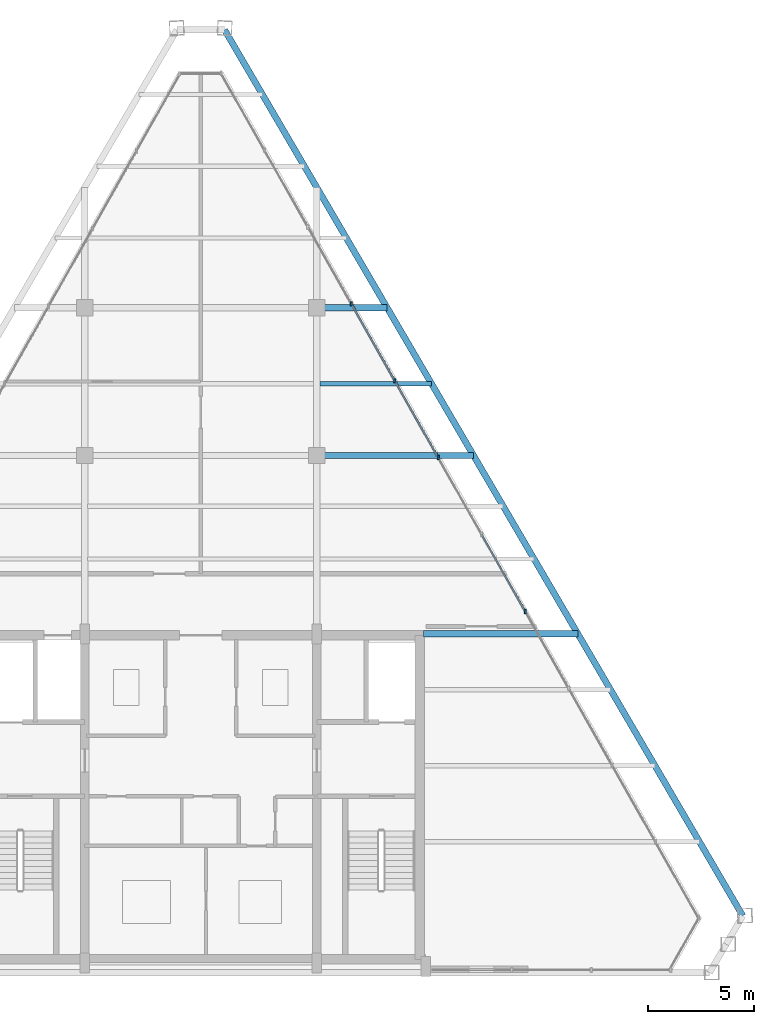
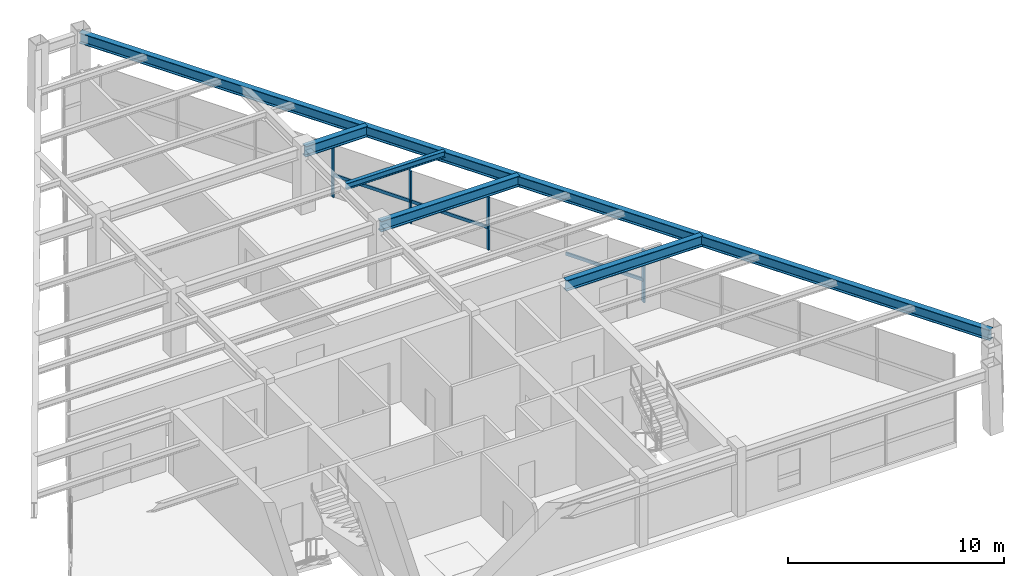
# One storey, part 7 of 12: 7 members, 5 beams, 1 element without a shape of its own.
"""IFC4 building model written with IfcOpenShell, lengths in metres."""

from ifc_helpers import new_model, si_unit, direction, frame, origin, origin_2d, place, context, subcontext, project, spatial, rectangle, i_section, extrude, source, transform, mapped, material, material_profile, profile_set, type_object, type_shapes, element, aggregate, save


model = new_model("IFC4")

# Units and contexts
model_context = context("Model", 3, precision=1e-05, world=origin(), true_north=direction((0.0, 1.0)))
body_context = subcontext(model_context, "Body", "Model", "MODEL_VIEW")
ifc_project = project(units=[si_unit("LENGTHUNIT", "METRE"), si_unit("AREAUNIT", "SQUARE_METRE"), si_unit("VOLUMEUNIT", "CUBIC_METRE"), si_unit("PLANEANGLEUNIT", "RADIAN"), si_unit("MASSUNIT", "GRAM", prefix="KILO")], contexts=[model_context])

# Site, building, storey
site_placement = place(None, origin())
site = spatial("IfcSite", under=ifc_project, at=site_placement, CompositionType="ELEMENT")
building_placement = place(site_placement, origin())
building = spatial("IfcBuilding", under=site, at=building_placement, Name="Varnakhor Terracotta Tower", CompositionType="ELEMENT")
storey_placement = place(building_placement, frame((0.0, 0.0, 317.5)))
storey = spatial("IfcBuildingStorey", under=building, at=storey_placement, Name="L83 Crown", CompositionType="ELEMENT", Elevation=317.5)

# Beams
ifc_material_1 = material(Name="Steel S355", Category="steel")
ifc_material_profile_1 = material_profile(ifc_material_1, i_section(OverallWidth=0.300048828125, OverallDepth=0.60009765625, WebThickness=0.015380859375, FlangeThickness=0.030029296875, FilletRadius=0.01806640625, at=origin_2d()), Name="HEB600")
ifc_profile_set_1 = profile_set([ifc_material_profile_1], Name="Steel S355")
beam_type_1 = type_object("IfcBeamType", Name="BM-HEB600", PredefinedType="BEAM", material=ifc_profile_set_1)
shared_shape_1 = source(origin(), body_context, "Body", "SweptSolid", [
    extrude(i_section(OverallWidth=0.300048828125, OverallDepth=0.60009765625, WebThickness=0.015380859375, FlangeThickness=0.030029296875, FilletRadius=0.01806640625, at=origin_2d()), origin(), (0.0, 0.0, 1.0), 48.62646484375),
])
beam_1_placement = place(storey_placement, frame((25.68017578125, 2.691162109375, 3.300048828125), z_axis=(-0.504850916897, 0.863206552169, 0.0), x_axis=(-0.863206552169, -0.504850916897, 0.0)))
element("IfcBeam", 1, at=beam_1_placement, inside=storey, type_object=beam_type_1, Name="L83 Crown Perimeter Spandrel 4", PredefinedType="BEAM", context=body_context, shape_type="MappedRepresentation", body=[
    mapped(shared_shape_1, transform((0.0, 0.0, 0.0), scale=1.0)),
])
shared_shape_2 = source(origin(), body_context, "Body", "SweptSolid", [
    extrude(i_section(OverallWidth=0.300048828125, OverallDepth=0.60009765625, WebThickness=0.015380859375, FlangeThickness=0.030029296875, FilletRadius=0.01806640625, at=origin_2d()), origin(), (0.0, 0.0, 1.0), 7.317138671875),
])
beam_2_placement = place(storey_placement, frame((10.550048828125, 16.050048828125, 3.300048828125), z_axis=(1.0, 0.0, 0.0), x_axis=(0.0, 1.0, 0.0)))
element("IfcBeam", 2, at=beam_2_placement, inside=storey, type_object=beam_type_1, Name="L83 Crown Wing Girder E", PredefinedType="BEAM", context=body_context, shape_type="MappedRepresentation", body=[
    mapped(shared_shape_2, transform((0.0, 0.0, 0.0), scale=1.0)),
])
shared_shape_3 = source(origin(), body_context, "Body", "SweptSolid", [
    extrude(i_section(OverallWidth=0.300048828125, OverallDepth=0.60009765625, WebThickness=0.015380859375, FlangeThickness=0.030029296875, FilletRadius=0.01806640625, at=origin_2d()), origin(), (0.0, 0.0, 1.0), 7.425048828125),
])
beam_3_placement = place(storey_placement, frame((5.5, 24.5, 3.300048828125), z_axis=(1.0, 0.0, 0.0), x_axis=(0.0, 1.0, 0.0)))
element("IfcBeam", 3, at=beam_3_placement, inside=storey, type_object=beam_type_1, Name="L83 Crown Primary Girder EW2-3", PredefinedType="BEAM", context=body_context, shape_type="MappedRepresentation", body=[
    mapped(shared_shape_3, transform((0.0, 0.0, 0.0), scale=1.0)),
])
shared_shape_4 = source(origin(), body_context, "Body", "SweptSolid", [
    extrude(i_section(OverallWidth=0.300048828125, OverallDepth=0.60009765625, WebThickness=0.015380859375, FlangeThickness=0.030029296875, FilletRadius=0.01806640625, at=origin_2d()), origin(), (0.0, 0.0, 1.0), 3.3310546875),
])
beam_4_placement = place(storey_placement, frame((5.5, 31.5, 3.300048828125), z_axis=(1.0, 0.0, 0.0), x_axis=(0.0, 1.0, 0.0)))
element("IfcBeam", 4, at=beam_4_placement, inside=storey, type_object=beam_type_1, Name="L83 Crown Primary Girder EW3-3", PredefinedType="BEAM", context=body_context, shape_type="MappedRepresentation", body=[
    mapped(shared_shape_4, transform((0.0, 0.0, 0.0), scale=1.0)),
])
ifc_material_profile_2 = material_profile(ifc_material_1, i_section(OverallWidth=0.202880859375, OverallDepth=0.346923828125, WebThickness=0.0078125, FlangeThickness=0.013427734375, FilletRadius=0.01806640625, at=origin_2d()), Name="W14X43")
ifc_profile_set_2 = profile_set([ifc_material_profile_2], Name="Steel S355")
beam_type_2 = type_object("IfcBeamType", Name="JST-W14X43", PredefinedType="JOIST", material=ifc_profile_set_2)
shared_shape_5 = source(origin(), body_context, "Body", "SweptSolid", [
    extrude(i_section(OverallWidth=0.202880859375, OverallDepth=0.346923828125, WebThickness=0.0078125, FlangeThickness=0.013427734375, FilletRadius=0.01806640625, at=origin_2d()), origin(), (0.0, 0.0, 1.0), 5.29052734375),
])
beam_5_placement = place(storey_placement, frame((5.64599609375, 27.89990234375, 3.426513671875), z_axis=(1.0, 0.0, 0.0), x_axis=(0.0, 1.0, 0.0)))
element("IfcBeam", 5, at=beam_5_placement, inside=storey, type_object=beam_type_2, Name="L83 Crown Composite Floor Joist 6-3", PredefinedType="JOIST", context=body_context, shape_type="MappedRepresentation", body=[
    mapped(shared_shape_5, transform((0.0, 0.0, 0.0), scale=1.0)),
])

# Curtain wall, members
ifc_material_2 = material(Name="Anodised Aluminium Curtain Wall System", Category="aluminium")
curtain_wall_type = type_object("IfcCurtainWallType", Name="CW-SYS-CROWN", PredefinedType="NOTDEFINED", material=ifc_material_2)
curtain_wall_placement = place(storey_placement, origin())
curtain_wall = element("IfcCurtainWall", 6, at=curtain_wall_placement, inside=storey, type_object=curtain_wall_type, Name="L83 Crown Facet Curtain Wall 3", PredefinedType="NOTDEFINED")
ifc_material_3 = material(Name="Anodised Aluminium 6063-T6", Category="aluminium")
ifc_material_profile_3 = material_profile(ifc_material_3, rectangle(XDim=0.080078125, YDim=0.205078125, at=origin_2d()), Name="ALU MULLION 80x205")
ifc_profile_set_3 = profile_set([ifc_material_profile_3], Name="Anodised Aluminium 6063-T6")
member_type_1 = type_object("IfcMemberType", Name="CWM-06", PredefinedType="MULLION", material=ifc_profile_set_3)
shared_shape_6 = source(origin(), body_context, "Body", "SweptSolid", [
    extrude(rectangle(XDim=0.080078125, YDim=0.205078125, at=origin_2d()), origin(), (0.0, 0.0, 1.0), 2.97998046875),
])
type_shapes(member_type_1, [shared_shape_6])
member_1_placement = place(storey_placement, frame((7.13427734375, 31.688232421875, 0.0), z_axis=(0.0, 0.0, 1.0), x_axis=(1.0, 0.0, 0.0)))
member_1 = element("IfcMember", 7, at=member_1_placement, type_object=member_type_1, Name="L83 Crown Facet Curtain Wall 3 Mullion 4", PredefinedType="MULLION", context=body_context, shape_type="MappedRepresentation", body=[
    mapped(shared_shape_6, transform((0.0, 0.0, 0.0), scale=1.0)),
])
member_2_placement = place(storey_placement, frame((9.19384765625, 28.044677734375, 0.0), z_axis=(0.0, 0.0, 1.0), x_axis=(1.0, 0.0, 0.0)))
member_2 = element("IfcMember", 8, at=member_2_placement, type_object=member_type_1, Name="L83 Crown Facet Curtain Wall 3 Mullion 5", PredefinedType="MULLION", context=body_context, shape_type="MappedRepresentation", body=[
    mapped(shared_shape_6, transform((0.0, 0.0, 0.0), scale=1.0)),
])
member_3_placement = place(storey_placement, frame((11.25341796875, 24.401123046875, 0.0), z_axis=(0.0, 0.0, 1.0), x_axis=(1.0, 0.0, 0.0)))
member_3 = element("IfcMember", 9, at=member_3_placement, type_object=member_type_1, Name="L83 Crown Facet Curtain Wall 3 Mullion 6", PredefinedType="MULLION", context=body_context, shape_type="MappedRepresentation", body=[
    mapped(shared_shape_6, transform((0.0, 0.0, 0.0), scale=1.0)),
])
member_4_placement = place(storey_placement, frame((15.37255859375, 17.114013671875, 0.0), z_axis=(0.0, 0.0, 1.0), x_axis=(1.0, 0.0, 0.0)))
member_4 = element("IfcMember", 10, at=member_4_placement, type_object=member_type_1, Name="L83 Crown Facet Curtain Wall 3 Mullion 8", PredefinedType="MULLION", context=body_context, shape_type="MappedRepresentation", body=[
    mapped(shared_shape_6, transform((0.0, 0.0, 0.0), scale=1.0)),
])
ifc_material_profile_4 = material_profile(ifc_material_3, rectangle(XDim=0.080078125, YDim=0.179931640625, at=origin_2d()), Name="ALU TRANSOM 80x180")
ifc_profile_set_4 = profile_set([ifc_material_profile_4], Name="Anodised Aluminium 6063-T6")
member_type_2 = type_object("IfcMemberType", Name="CWT-06", PredefinedType="USERDEFINED", material=ifc_profile_set_4)
shared_shape_7 = source(origin(), body_context, "Body", "SweptSolid", [
    extrude(rectangle(XDim=0.080078125, YDim=0.179931640625, at=origin_2d()), origin(), (0.0, 0.0, 1.0), 4.185302734375),
])
member_5_placement = place(storey_placement, frame((7.13427734375, 31.688232421875, 1.251708984375), z_axis=(0.492088010148, -0.870545455601, 0.0), x_axis=(0.870545455601, 0.492088010148, 0.0)))
member_5 = element("IfcMember", 11, at=member_5_placement, type_object=member_type_2, Name="L83 Crown Facet Curtain Wall 3 Transom 4", ObjectType="TRANSOM", PredefinedType="USERDEFINED", context=body_context, shape_type="MappedRepresentation", body=[
    mapped(shared_shape_7, transform((0.0, 0.0, 0.0), scale=1.0)),
])
member_6_placement = place(storey_placement, frame((9.19384765625, 28.044677734375, 1.251708984375), z_axis=(0.492088010148, -0.870545455601, 0.0), x_axis=(0.870545455601, 0.492088010148, 0.0)))
member_6 = element("IfcMember", 12, at=member_6_placement, type_object=member_type_2, Name="L83 Crown Facet Curtain Wall 3 Transom 5", ObjectType="TRANSOM", PredefinedType="USERDEFINED", context=body_context, shape_type="MappedRepresentation", body=[
    mapped(shared_shape_7, transform((0.0, 0.0, 0.0), scale=1.0)),
])
member_7_placement = place(storey_placement, frame((13.31298828125, 20.757568359375, 1.251708984375), z_axis=(0.492088010148, -0.870545455601, 0.0), x_axis=(0.870545455601, 0.492088010148, 0.0)))
member_7 = element("IfcMember", 13, at=member_7_placement, type_object=member_type_2, Name="L83 Crown Facet Curtain Wall 3 Transom 7", ObjectType="TRANSOM", PredefinedType="USERDEFINED", context=body_context, shape_type="MappedRepresentation", body=[
    mapped(shared_shape_7, transform((0.0, 0.0, 0.0), scale=1.0)),
])
aggregate(curtain_wall, [member_1, member_5, member_2, member_6, member_3, member_7, member_4])

save(model, "model.ifc")
